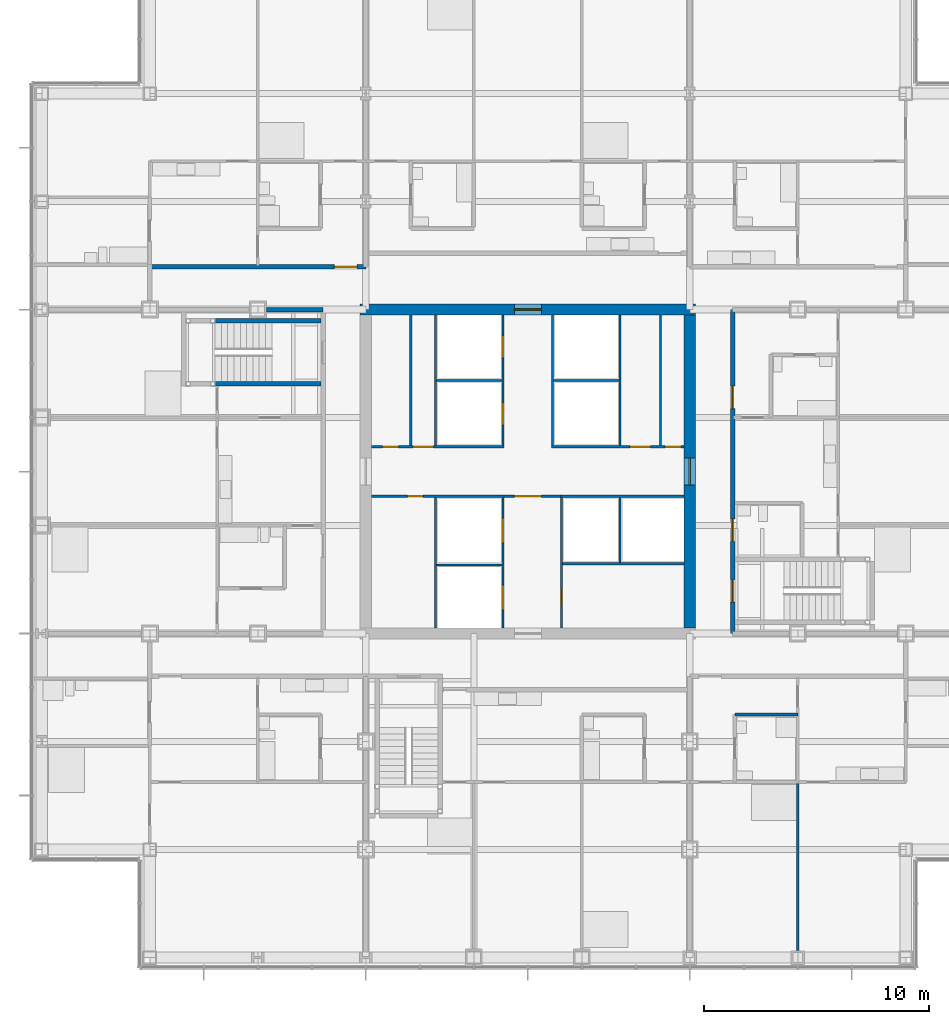
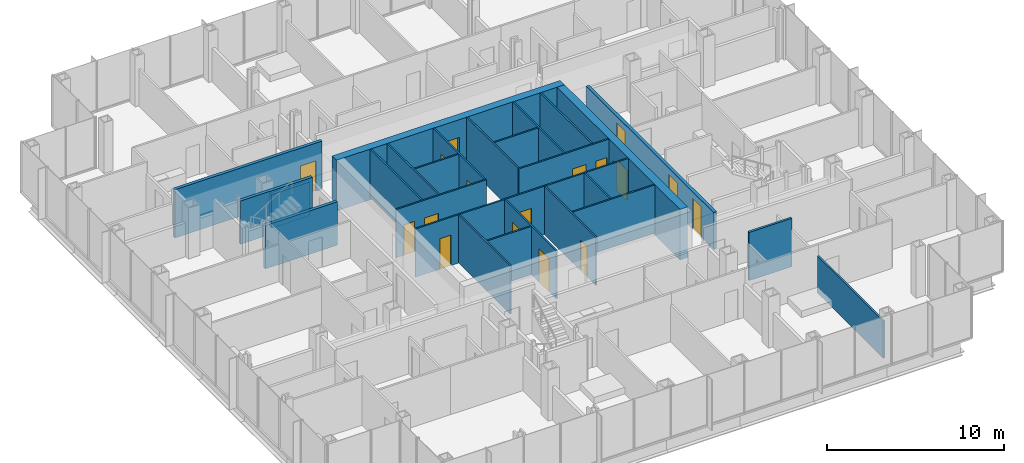
# One storey, part 15 of 21: 28 walls, 17 doors, 17 openings.
"""IFC4 building model written with IfcOpenShell, lengths in metres."""

import ifcopenshell
import ifcopenshell.guid

model = None  # the IFC model being written
_history = None  # IfcOwnerHistory: only IFC2X3 demands one
_inside = {}  # id of a spatial element -> (the spatial element, [elements in it])
_under = {}  # id of a project, library or spatial element -> (it, [spatial elements below it])
_declared = {}  # id of a project -> (the project, [libraries it declares])
_typed = {}  # id of a type object -> (the type object, [elements of that type])
_made_of = {}  # id of a material, layer set ... -> (it, [elements and type objects made of it])


def new_model(schema):
    """Start an empty IFC model of exactly this schema.

    Asked for "IFC4X3", IfcOpenShell would pick the latest addendum, in which some entities
    have other attributes; the version numbers below select the first issue.
    IFC2X3 requires an IfcOwnerHistory on every rooted entity: one is made here for all.
    """
    global model, _history
    if schema == "IFC4X3":
        model = ifcopenshell.file(schema_version=(4, 3, 0, 0))
    else:
        model = ifcopenshell.file(schema=schema)
    _inside.clear()
    _under.clear()
    _declared.clear()
    _typed.clear()
    _made_of.clear()
    _history = None
    if model.schema == "IFC2X3":
        org = make("IfcOrganization", Name="unknown")
        user = make(
            "IfcPersonAndOrganization",
            ThePerson=make("IfcPerson", FamilyName="unknown"),
            TheOrganization=org,
        )
        app = make(
            "IfcApplication",
            ApplicationDeveloper=org,
            Version="unknown",
            ApplicationFullName="unknown",
            ApplicationIdentifier="unknown",
        )
        _history = make(
            "IfcOwnerHistory",
            OwningUser=user,
            OwningApplication=app,
            ChangeAction="ADDED",
            CreationDate=0,
        )
    return model


def make(cls, **values):
    """One entity of the class cls with the attributes given. An attribute that is None is left unset."""
    return model.create_entity(
        cls, **{name: value for name, value in values.items() if value is not None}
    )


def rooted(cls, **values):
    """An entity with a GlobalId (a new one), such as an element, a storey or a relation."""
    return make(cls, GlobalId=ifcopenshell.guid.new(), OwnerHistory=_history, **values)


def si_unit(unit_type, name, prefix=None):
    """IfcSIUnit, for example si_unit("LENGTHUNIT", "METRE", prefix="MILLI")."""
    return make("IfcSIUnit", UnitType=unit_type, Prefix=prefix, Name=name)


def assignment(units):
    """IfcUnitAssignment: the units of a project."""
    return None if units is None else make("IfcUnitAssignment", Units=units)


def point(xyz):
    """IfcCartesianPoint."""
    return None if xyz is None else make("IfcCartesianPoint", Coordinates=xyz)


def direction(xyz):
    """IfcDirection."""
    return None if xyz is None else make("IfcDirection", DirectionRatios=xyz)


def frame(location, z_axis=None, x_axis=None):
    """IfcAxis2Placement3D, a coordinate frame: its origin and axes. An axis left out is left unset."""
    return make(
        "IfcAxis2Placement3D",
        Location=point(location),
        Axis=direction(z_axis),
        RefDirection=direction(x_axis),
    )


def frame_2d(location, x_axis=None):
    """IfcAxis2Placement2D, a coordinate frame in the plane: its origin and x axis."""
    return make(
        "IfcAxis2Placement2D", Location=point(location), RefDirection=direction(x_axis)
    )


def origin():
    """The frame at (0, 0, 0) with its axes left unset."""
    return frame((0.0, 0.0, 0.0))


def place(relative_to, where):
    """IfcLocalPlacement: puts the frame where relative to a parent placement (None: the world)."""
    return make(
        "IfcLocalPlacement", PlacementRelTo=relative_to, RelativePlacement=where
    )


def context(
    kind, dimensions, precision=None, world=None, true_north=None, identifier=None
):
    """IfcGeometricRepresentationContext, for example the 3D "Model" context."""
    return make(
        "IfcGeometricRepresentationContext",
        ContextIdentifier=identifier,
        ContextType=kind,
        CoordinateSpaceDimension=dimensions,
        Precision=precision,
        WorldCoordinateSystem=world,
        TrueNorth=true_north,
    )


def subcontext(parent, identifier, kind, view, scale=None):
    """IfcGeometricRepresentationSubContext, for example "Body" below "Model"."""
    return make(
        "IfcGeometricRepresentationSubContext",
        ContextIdentifier=identifier,
        ContextType=kind,
        ParentContext=parent,
        TargetScale=scale,
        TargetView=view,
    )


def project(units=None, contexts=None):
    """IfcProject with its units and contexts."""
    return rooted(
        "IfcProject",
        Name="project",
        RepresentationContexts=contexts,
        UnitsInContext=assignment(units),
    )


def spatial(cls, under=None, at=None, **own):
    """A site, building, storey or space (cls), placed at a placement, below another one or the project."""
    s = rooted(cls, ObjectPlacement=at, **own)
    if under is not None:
        _under.setdefault(under.id(), (under, []))[1].append(s)
    return s


def profile(cls, at=None, kind="AREA", **sizes):
    """A parametric profile (cls). Its sizes go by their IFC names, for example OverallWidth=200.0."""
    return make(cls, ProfileType=kind, Position=at, **sizes)


def rectangle(**sizes):
    """IfcRectangleProfileDef."""
    return profile("IfcRectangleProfileDef", **sizes)


def extrude(swept, where, along, depth):
    """IfcExtrudedAreaSolid: the profile swept, set in the frame where, extruded along a direction by depth."""
    return make(
        "IfcExtrudedAreaSolid",
        SweptArea=swept,
        Position=where,
        ExtrudedDirection=direction(along),
        Depth=depth,
    )


def shape(context_of_items, identifier, shape_type, items):
    """IfcShapeRepresentation: the items that make up one representation, for example the "Body"."""
    return make(
        "IfcShapeRepresentation",
        ContextOfItems=context_of_items,
        RepresentationIdentifier=identifier,
        RepresentationType=shape_type,
        Items=items,
    )


def material(Name=None, Category=None):
    """IfcMaterial."""
    return make("IfcMaterial", Name=Name, Category=Category)


def layer(
    of_material, thickness, ventilated=None, Name=None, Category=None, Priority=None
):
    """IfcMaterialLayer: one layer of a wall or slab, of a material (None: an air gap)."""
    return make(
        "IfcMaterialLayer",
        Material=of_material,
        LayerThickness=thickness,
        IsVentilated=ventilated,
        Name=Name,
        Category=Category,
        Priority=Priority,
    )


def layer_set(layers, Name=None):
    """IfcMaterialLayerSet."""
    return make("IfcMaterialLayerSet", MaterialLayers=layers, LayerSetName=Name)


def made_of(thing, what):
    """Note that an element or type object is made of a material, layer set ...; save() writes the relation."""
    if what is not None:
        _made_of.setdefault(what.id(), (what, []))[1].append(thing)
    return thing


def type_object(cls, material=None, **own):
    """A type object (cls), such as IfcWallType, which elements share."""
    return made_of(rooted(cls, **own), material)


def element(
    cls,
    number,
    at=None,
    inside=None,
    cuts=None,
    type_object=None,
    material=None,
    context=None,
    identifier="Body",
    shape_type=None,
    held_by="IfcProductDefinitionShape",
    body=None,
    shapes=None,
    **own,
):
    """One element of the class cls, such as IfcWall. Its Tag is "e" and its number.

    at: its placement. inside: the storey or other place that contains it. cuts: it is an
    opening in that element (IfcRelVoidsElement). A single representation is given by context,
    identifier, shape_type and body (its items); several are given by shapes. held_by: the class
    of the entity that holds the representations. save() writes the other relations.
    """
    e = rooted(cls, Tag="e%d" % number, ObjectPlacement=at, **own)
    if body is not None:
        shapes = [shape(context, identifier, shape_type, body)]
    if shapes is not None:
        e.Representation = make(held_by, Representations=shapes)
    if inside is not None:
        _inside.setdefault(inside.id(), (inside, []))[1].append(e)
    if cuts is not None:
        rooted(
            "IfcRelVoidsElement", RelatingBuildingElement=cuts, RelatedOpeningElement=e
        )
    if type_object is not None:
        _typed.setdefault(type_object.id(), (type_object, []))[1].append(e)
    return made_of(e, material)


def fill(opening, filler):
    """IfcRelFillsElement: the door or window that sits in an opening."""
    return rooted(
        "IfcRelFillsElement",
        RelatingOpeningElement=opening,
        RelatedBuildingElement=filler,
    )


def aggregate(whole, parts):
    """IfcRelAggregates: a whole, such as a stair, and the parts it consists of."""
    return rooted("IfcRelAggregates", RelatingObject=whole, RelatedObjects=parts)


def save(model, path):
    """Write the relations noted so far, then the file.

    IfcRelAggregates (storeys below a building ...), IfcRelContainedInSpatialStructure (elements
    in a storey), IfcRelDefinesByType, IfcRelAssociatesMaterial and IfcRelDeclares: one each for
    every whole, place, type object, material and project.
    """
    for whole, parts in _under.values():
        aggregate(whole, parts)
    for where, things in _inside.values():
        rooted(
            "IfcRelContainedInSpatialStructure",
            RelatedElements=things,
            RelatingStructure=where,
        )
    for kind, things in _typed.values():
        rooted("IfcRelDefinesByType", RelatedObjects=things, RelatingType=kind)
    for what, things in _made_of.values():
        rooted("IfcRelAssociatesMaterial", RelatedObjects=things, RelatingMaterial=what)
    for by, libraries in _declared.values():
        rooted("IfcRelDeclares", RelatingContext=by, RelatedDefinitions=libraries)
    model.write(path)


model = new_model("IFC4")

# Units and contexts
model_context = context("Model", 3, precision=1e-05, world=origin(), true_north=direction((0.0, 1.0)))
body_context = subcontext(model_context, "Body", "Model", "MODEL_VIEW")
ifc_project = project(units=[si_unit("LENGTHUNIT", "METRE"), si_unit("AREAUNIT", "SQUARE_METRE"), si_unit("VOLUMEUNIT", "CUBIC_METRE"), si_unit("PLANEANGLEUNIT", "RADIAN"), si_unit("MASSUNIT", "GRAM", prefix="KILO")], contexts=[model_context])

# Site, building, storey
site_placement = place(None, origin())
site = spatial("IfcSite", under=ifc_project, at=site_placement, CompositionType="ELEMENT")
building_placement = place(site_placement, origin())
building = spatial("IfcBuilding", under=site, at=building_placement, Name="Kvirike Care Tower", CompositionType="ELEMENT")
storey_placement = place(building_placement, frame((0.0, 0.0, 58.5)))
storey = spatial("IfcBuildingStorey", under=building, at=storey_placement, Name="L15", CompositionType="ELEMENT", Elevation=58.5)

# Wall
ifc_material_1 = material(Name="Moisture-resistant board partition", Category="gypsum")
ifc_layer_1 = layer(ifc_material_1, 0.14990234375)
ifc_layer_set_1 = layer_set([ifc_layer_1], Name="BATHROOM WALL 150")
wall_type_1 = type_object("IfcWallType", Name="BATHROOM WALL 150", PredefinedType="PARTITIONING", material=ifc_layer_set_1)
wall_1_placement = place(storey_placement, frame((30.800048828125, 25.199951171875, 0.0), z_axis=(0.0, 0.0, 1.0), x_axis=(1.0, 0.0, 0.0)))
element("IfcWall", 1, at=wall_1_placement, inside=storey, type_object=wall_type_1, Name="Bathroom Wall 150 L15", PredefinedType="PARTITIONING", context=body_context, shape_type="SweptSolid", body=[
    extrude(rectangle(XDim=2.800048828125, YDim=0.14990234375, at=frame_2d((1.39990234375, 0.0))), origin(), (0.0, 0.0, 1.0), 3.330078125),
])

# Wall, opening, door
ifc_material_2 = material(Name="Concrete C60/75", Category="concrete")
ifc_layer_2 = layer(ifc_material_2, 0.5)
ifc_layer_set_2 = layer_set([ifc_layer_2], Name="CORE WALL 500 C60-75")
wall_type_2 = type_object("IfcWallType", Name="CORE WALL 500 C60-75", PredefinedType="SHEAR", material=ifc_layer_set_2)
wall_2_placement = place(storey_placement, frame((29.050048828125, 43.199951171875, -0.169921875), z_axis=(0.0, 0.0, 1.0), x_axis=(-1.0, 0.0, 0.0)))
wall_2 = element("IfcWall", 2, at=wall_2_placement, inside=storey, type_object=wall_type_2, Name="Core wall N L15", PredefinedType="SHEAR", context=body_context, shape_type="SweptSolid", body=[
    extrude(rectangle(XDim=14.900146484375, YDim=0.5, at=frame_2d((7.4501953125, 0.0))), origin(), (0.0, 0.0, 1.0), 3.5),
])
opening_1_placement = place(wall_2_placement, frame((6.85009765625, 0.0, 0.169921875)))
opening_1 = element("IfcOpeningElement", 3, at=opening_1_placement, cuts=wall_2, Name="Opening 15-067", PredefinedType="OPENING", context=body_context, shape_type="SweptSolid", body=[
    extrude(rectangle(XDim=1.199951171875, YDim=2.10009765625, at=frame_2d((0.60009765625, 1.050048828125))), frame((0.0, 0.260498046875, 0.0), z_axis=(0.0, -1.0, 0.0), x_axis=(1.0, 0.0, 0.0)), (0.0, 0.0, 1.0), 0.52099609375),
])
ifc_material_3 = material(Name="Timber door set", Category="wood")
door_type_1 = type_object("IfcDoorType", Name="CORE DOOR 1200", OperationType="SINGLE_SWING_LEFT", PredefinedType="DOOR", material=ifc_material_3)
door_1_placement = place(opening_1_placement, origin())
door_1 = element("IfcDoor", 4, at=door_1_placement, inside=storey, type_object=door_type_1, Name="Core door N L15", OperationType="SINGLE_SWING_LEFT", OverallHeight=2.10009765625, OverallWidth=1.199951171875, PredefinedType="DOOR", context=body_context, shape_type="SweptSolid", body=[
    extrude(rectangle(XDim=1.199951171875, YDim=2.10009765625, at=frame_2d((0.60009765625, 1.050048828125))), frame((0.0, 0.02685546875, 0.0), z_axis=(0.0, -1.0, 0.0), x_axis=(1.0, 0.0, 0.0)), (0.0, 0.0, 1.0), 0.053955078125),
])
fill(opening_1, door_1)

wall_3_placement = place(storey_placement, frame((28.800048828125, 29.050048828125, -0.169921875), z_axis=(0.0, 0.0, 1.0), x_axis=(0.0, 1.0, 0.0)))
wall_3 = element("IfcWall", 5, at=wall_3_placement, inside=storey, type_object=wall_type_2, Name="Core wall E L15", PredefinedType="SHEAR", context=body_context, shape_type="SweptSolid", body=[
    extrude(rectangle(XDim=13.89990234375, YDim=0.5, at=frame_2d((6.949951171875, 0.0))), origin(), (0.0, 0.0, 1.0), 3.5),
])
opening_2_placement = place(wall_3_placement, frame((6.35009765625, 0.0, 0.169921875)))
opening_2 = element("IfcOpeningElement", 6, at=opening_2_placement, cuts=wall_3, Name="Opening 15-066", PredefinedType="OPENING", context=body_context, shape_type="SweptSolid", body=[
    extrude(rectangle(XDim=1.199951171875, YDim=2.10009765625, at=frame_2d((0.60009765625, 1.050048828125))), frame((0.0, 0.260498046875, 0.0), z_axis=(0.0, -1.0, 0.0), x_axis=(1.0, 0.0, 0.0)), (0.0, 0.0, 1.0), 0.52099609375),
])
door_2_placement = place(opening_2_placement, origin())
door_2 = element("IfcDoor", 7, at=door_2_placement, inside=storey, type_object=door_type_1, Name="Core door E L15", OperationType="SINGLE_SWING_LEFT", OverallHeight=2.10009765625, OverallWidth=1.199951171875, PredefinedType="DOOR", context=body_context, shape_type="SweptSolid", body=[
    extrude(rectangle(XDim=1.199951171875, YDim=2.10009765625, at=frame_2d((0.60009765625, 1.050048828125))), frame((0.0, 0.02685546875, 0.0), z_axis=(0.0, -1.0, 0.0), x_axis=(1.0, 0.0, 0.0)), (0.0, 0.0, 1.0), 0.053955078125),
])
fill(opening_2, door_2)

ifc_material_4 = material(Name="Plasterboard corridor wall", Category="gypsum")
ifc_layer_3 = layer(ifc_material_4, 0.199951171875)
ifc_layer_set_3 = layer_set([ifc_layer_3], Name="CORRIDOR WALL 200")
wall_type_3 = type_object("IfcWallType", Name="CORRIDOR WALL 200", PredefinedType="PARTITIONING", material=ifc_layer_set_3)
wall_4_placement = place(storey_placement, frame((14.39990234375, 45.10009765625, 0.0), z_axis=(0.0, 0.0, 1.0), x_axis=(-1.0, 0.0, 0.0)))
wall_4 = element("IfcWall", 8, at=wall_4_placement, inside=storey, type_object=wall_type_3, Name="Corridor Wall 200 L15", PredefinedType="PARTITIONING", context=body_context, shape_type="SweptSolid", body=[
    extrude(rectangle(XDim=9.599853515625, YDim=0.199951171875, at=frame_2d((4.7998046875, 0.0))), origin(), (0.0, 0.0, 1.0), 3.330078125),
])
opening_3_placement = place(wall_4_placement, frame((0.39990234375, 0.0, 0.0)))
opening_3 = element("IfcOpeningElement", 9, at=opening_3_placement, cuts=wall_4, Name="Opening 15-020", PredefinedType="OPENING", context=body_context, shape_type="SweptSolid", body=[
    extrude(rectangle(XDim=1.0, YDim=2.10009765625, at=frame_2d((0.5, 1.050048828125))), frame((0.0, 0.110595703125, 0.0), z_axis=(0.0, -1.0, 0.0), x_axis=(1.0, 0.0, 0.0)), (0.0, 0.0, 1.0), 0.220947265625),
])
ifc_material_5 = material(Name="Timber door set", Category="wood")
door_type_2 = type_object("IfcDoorType", Name="FLAT ENTRANCE DOOR 1000", OperationType="SINGLE_SWING_LEFT", PredefinedType="DOOR", material=ifc_material_5)
door_3_placement = place(opening_3_placement, frame((1.0, 0.0, 0.0), z_axis=(0.0, 0.0, 1.0), x_axis=(-1.0, 0.0, 0.0)))
door_3 = element("IfcDoor", 10, at=door_3_placement, inside=storey, type_object=door_type_2, Name="One-bedroom apartment entrance", OperationType="SINGLE_SWING_LEFT", OverallHeight=2.10009765625, OverallWidth=1.0, PredefinedType="DOOR", context=body_context, shape_type="SweptSolid", body=[
    extrude(rectangle(XDim=1.0, YDim=2.10009765625, at=frame_2d((0.5, 1.050048828125))), frame((0.0, 0.02685546875, 0.0), z_axis=(0.0, -1.0, 0.0), x_axis=(1.0, 0.0, 0.0)), (0.0, 0.0, 1.0), 0.053955078125),
])
fill(opening_3, door_3)

# Wall, openings, doors
wall_5_placement = place(storey_placement, frame((30.699951171875, 28.800048828125, 0.0), z_axis=(0.0, 0.0, 1.0), x_axis=(0.0, 1.0, 0.0)))
wall_5 = element("IfcWall", 11, at=wall_5_placement, inside=storey, type_object=wall_type_3, Name="Corridor Wall 200 L15", PredefinedType="PARTITIONING", context=body_context, shape_type="SweptSolid", body=[
    extrude(rectangle(XDim=14.39990234375, YDim=0.199951171875, at=frame_2d((7.199951171875, 0.0))), origin(), (0.0, 0.0, 1.0), 2.550048828125),
])
opening_4_placement = place(wall_5_placement, frame((1.39990234375, 0.0, 0.0)))
opening_4 = element("IfcOpeningElement", 12, at=opening_4_placement, cuts=wall_5, Name="Opening 15-044", PredefinedType="OPENING", context=body_context, shape_type="SweptSolid", body=[
    extrude(rectangle(XDim=1.0, YDim=2.10009765625, at=frame_2d((0.5, 1.050048828125))), frame((0.0, 0.110595703125, 0.0), z_axis=(0.0, -1.0, 0.0), x_axis=(1.0, 0.0, 0.0)), (0.0, 0.0, 1.0), 0.220947265625),
])
opening_5_placement = place(wall_5_placement, frame((4.10009765625, 0.0, 0.0)))
opening_5 = element("IfcOpeningElement", 13, at=opening_5_placement, cuts=wall_5, Name="Opening 15-045", PredefinedType="OPENING", context=body_context, shape_type="SweptSolid", body=[
    extrude(rectangle(XDim=1.0, YDim=2.10009765625, at=frame_2d((0.5, 1.050048828125))), frame((0.0, 0.110595703125, 0.0), z_axis=(0.0, -1.0, 0.0), x_axis=(1.0, 0.0, 0.0)), (0.0, 0.0, 1.0), 0.220947265625),
])
opening_6_placement = place(wall_5_placement, frame((10.0, 0.0, 0.0)))
opening_6 = element("IfcOpeningElement", 14, at=opening_6_placement, cuts=wall_5, Name="Opening 15-046", PredefinedType="OPENING", context=body_context, shape_type="SweptSolid", body=[
    extrude(rectangle(XDim=1.0, YDim=2.10009765625, at=frame_2d((0.5, 1.050048828125))), frame((0.0, 0.110595703125, 0.0), z_axis=(0.0, -1.0, 0.0), x_axis=(1.0, 0.0, 0.0)), (0.0, 0.0, 1.0), 0.220947265625),
])
door_4_placement = place(opening_6_placement, frame((1.0, 0.0, 0.0), z_axis=(0.0, 0.0, 1.0), x_axis=(-1.0, 0.0, 0.0)))
door_4 = element("IfcDoor", 15, at=door_4_placement, inside=storey, type_object=door_type_2, Name="Two-bedroom apartment entrance", OperationType="SINGLE_SWING_LEFT", OverallHeight=2.10009765625, OverallWidth=1.0, PredefinedType="DOOR", context=body_context, shape_type="SweptSolid", body=[
    extrude(rectangle(XDim=1.0, YDim=2.10009765625, at=frame_2d((0.5, 1.050048828125))), frame((0.0, 0.02685546875, 0.0), z_axis=(0.0, -1.0, 0.0), x_axis=(1.0, 0.0, 0.0)), (0.0, 0.0, 1.0), 0.053955078125),
])
fill(opening_6, door_4)
ifc_material_6 = material(Name="Timber door set", Category="wood")
door_type_3 = type_object("IfcDoorType", Name="STAIR DOOR 1000", OperationType="SINGLE_SWING_LEFT", PredefinedType="DOOR", material=ifc_material_6)
door_5_placement = place(opening_4_placement, frame((1.0, 0.0, 0.0), z_axis=(0.0, 0.0, 1.0), x_axis=(-1.0, 0.0, 0.0)))
door_5 = element("IfcDoor", 16, at=door_5_placement, inside=storey, type_object=door_type_3, Name="Stair 2 door", OperationType="SINGLE_SWING_RIGHT", OverallHeight=2.10009765625, OverallWidth=1.0, PredefinedType="DOOR", context=body_context, shape_type="SweptSolid", body=[
    extrude(rectangle(XDim=1.0, YDim=2.10009765625, at=frame_2d((0.5, 1.050048828125))), frame((0.0, 0.031982421875, 0.0), z_axis=(0.0, -1.0, 0.0), x_axis=(1.0, 0.0, 0.0)), (0.0, 0.0, 1.0), 0.06396484375),
])
fill(opening_4, door_5)
ifc_material_7 = material(Name="Timber door set", Category="wood")
door_type_4 = type_object("IfcDoorType", Name="WC DOOR 1000", OperationType="SINGLE_SWING_LEFT", PredefinedType="DOOR", material=ifc_material_7)
door_6_placement = place(opening_5_placement, frame((1.0, 0.0, 0.0), z_axis=(0.0, 0.0, 1.0), x_axis=(-1.0, 0.0, 0.0)))
door_6 = element("IfcDoor", 17, at=door_6_placement, inside=storey, type_object=door_type_4, Name="Accessible WC door", OperationType="SINGLE_SWING_LEFT", OverallHeight=2.10009765625, OverallWidth=1.0, PredefinedType="DOOR", context=body_context, shape_type="SweptSolid", body=[
    extrude(rectangle(XDim=1.0, YDim=2.10009765625, at=frame_2d((0.5, 1.050048828125))), frame((0.0, 0.02685546875, 0.0), z_axis=(0.0, -1.0, 0.0), x_axis=(1.0, 0.0, 0.0)), (0.0, 0.0, 1.0), 0.053955078125),
])
fill(opening_5, door_6)

# Walls
ifc_material_8 = material(Name="Plasterboard partition", Category="gypsum")
ifc_layer_4 = layer(ifc_material_8, 0.1201171875)
ifc_layer_set_4 = layer_set([ifc_layer_4], Name="PARTITION 120")
wall_type_4 = type_object("IfcWallType", Name="PARTITION 120", PredefinedType="PARTITIONING", material=ifc_layer_set_4)
wall_6_placement = place(storey_placement, frame((33.60009765625, 14.719970703125, 0.0), z_axis=(0.0, 0.0, 1.0), x_axis=(0.0, 1.0, 0.0)))
element("IfcWall", 18, at=wall_6_placement, inside=storey, type_object=wall_type_4, Name="Partition 120 L15", PredefinedType="PARTITIONING", context=body_context, shape_type="SweptSolid", body=[
    extrude(rectangle(XDim=7.47998046875, YDim=0.1201171875, at=frame_2d((3.739990234375, 0.0))), origin(), (0.0, 0.0, 1.0), 2.550048828125),
])
ifc_material_9 = material(Name="Plasterboard party wall", Category="gypsum")
ifc_layer_5 = layer(ifc_material_9, 0.199951171875)
ifc_layer_set_5 = layer_set([ifc_layer_5], Name="PARTY WALL 200")
wall_type_5 = type_object("IfcWallType", Name="PARTY WALL 200", PredefinedType="PARTITIONING", material=ifc_layer_set_5)
wall_7_placement = place(storey_placement, frame((12.5, 43.199951171875, 0.0), z_axis=(0.0, 0.0, 1.0), x_axis=(-1.0, 0.0, 0.0)))
element("IfcWall", 19, at=wall_7_placement, inside=storey, type_object=wall_type_5, Name="Party Wall 200 L15", PredefinedType="PARTITIONING", context=body_context, shape_type="SweptSolid", body=[
    extrude(rectangle(XDim=2.5048828125, YDim=0.199951171875, at=frame_2d((1.25244140625, 0.0))), origin(), (0.0, 0.0, 1.0), 2.320068359375),
])
ifc_material_10 = material(Name="Gypsum shaft wall system", Category="gypsum")
ifc_layer_6 = layer(ifc_material_10, 0.10009765625)
ifc_layer_set_6 = layer_set([ifc_layer_6], Name="SHAFT WALL 100")
wall_type_6 = type_object("IfcWallType", Name="SHAFT WALL 100", PredefinedType="SOLIDWALL", material=ifc_layer_set_6)
for number, where, z_axis, x_axis, name in (
    (20, (16.39990234375, 37.14990234375, 0.0), (0.0, 0.0, 1.0), (0.0, 1.0, 0.0), "Shaft Wall 100 L15"),
    (21, (27.5, 37.14990234375, 0.0), (0.0, 0.0, 1.0), (0.0, 1.0, 0.0), "Shaft Wall 100 L15"),
):
    element("IfcWall", number, at=place(storey_placement, frame(where, z_axis=z_axis, x_axis=x_axis)), inside=storey, type_object=wall_type_6, Name=name, PredefinedType="SOLIDWALL", context=body_context, shape_type="SweptSolid", body=[
        extrude(rectangle(XDim=5.800048828125, YDim=0.10009765625, at=frame_2d((2.89990234375, 0.0))), origin(), (0.0, 0.0, 1.0), 3.330078125),
    ])

# Wall, openings, doors
wall_8_placement = place(storey_placement, frame((20.5, 29.050048828125, 0.0), z_axis=(0.0, 0.0, 1.0), x_axis=(0.0, 1.0, 0.0)))
wall_8 = element("IfcWall", 22, at=wall_8_placement, inside=storey, type_object=wall_type_6, Name="Shaft Wall 100 L15", PredefinedType="SOLIDWALL", context=body_context, shape_type="SweptSolid", body=[
    extrude(rectangle(XDim=5.800048828125, YDim=0.10009765625, at=frame_2d((2.89990234375, 0.0))), origin(), (0.0, 0.0, 1.0), 3.330078125),
])
opening_7_placement = place(wall_8_placement, frame((0.800048828125, 0.0, 0.0)))
opening_7 = element("IfcOpeningElement", 23, at=opening_7_placement, cuts=wall_8, Name="Opening 15-053", PredefinedType="OPENING", context=body_context, shape_type="SweptSolid", body=[
    extrude(rectangle(XDim=1.10009765625, YDim=2.300048828125, at=frame_2d((0.550048828125, 1.14990234375))), frame((0.0, 0.060546875, 0.0), z_axis=(0.0, -1.0, 0.0), x_axis=(1.0, 0.0, 0.0)), (0.0, 0.0, 1.0), 0.12109375),
])
opening_8_placement = place(wall_8_placement, frame((3.77490234375, 0.0, 0.0)))
opening_8 = element("IfcOpeningElement", 24, at=opening_8_placement, cuts=wall_8, Name="Opening 15-054", PredefinedType="OPENING", context=body_context, shape_type="SweptSolid", body=[
    extrude(rectangle(XDim=1.10009765625, YDim=2.300048828125, at=frame_2d((0.550048828125, 1.14990234375))), frame((0.0, 0.060546875, 0.0), z_axis=(0.0, -1.0, 0.0), x_axis=(1.0, 0.0, 0.0)), (0.0, 0.0, 1.0), 0.12109375),
])
ifc_material_11 = material(Name="Aluminium door frame", Category="aluminium")
door_type_5 = type_object("IfcDoorType", Name="FIRE-FIGHTING LIFT LANDING DOOR 1100", OperationType="SLIDING_TO_LEFT", PredefinedType="DOOR", material=ifc_material_11)
door_7_placement = place(opening_7_placement, origin())
door_7 = element("IfcDoor", 25, at=door_7_placement, inside=storey, type_object=door_type_5, Name="Lift FF1 landing door", OperationType="SLIDING_TO_LEFT", OverallHeight=2.300048828125, OverallWidth=1.10009765625, PredefinedType="DOOR", context=body_context, shape_type="SweptSolid", body=[
    extrude(rectangle(XDim=1.10009765625, YDim=2.300048828125, at=frame_2d((0.550048828125, 1.14990234375))), frame((0.0, 0.0498046875, 0.0), z_axis=(0.0, -1.0, 0.0), x_axis=(1.0, 0.0, 0.0)), (0.0, 0.0, 1.0), 0.099609375),
])
fill(opening_7, door_7)
door_8_placement = place(opening_8_placement, origin())
door_8 = element("IfcDoor", 26, at=door_8_placement, inside=storey, type_object=door_type_5, Name="Lift FF2 landing door", OperationType="SLIDING_TO_LEFT", OverallHeight=2.300048828125, OverallWidth=1.10009765625, PredefinedType="DOOR", context=body_context, shape_type="SweptSolid", body=[
    extrude(rectangle(XDim=1.10009765625, YDim=2.300048828125, at=frame_2d((0.550048828125, 1.14990234375))), frame((0.0, 0.0498046875, 0.0), z_axis=(0.0, -1.0, 0.0), x_axis=(1.0, 0.0, 0.0)), (0.0, 0.0, 1.0), 0.099609375),
])
fill(opening_8, door_8)

wall_9_placement = place(storey_placement, frame((20.5, 37.14990234375, 0.0), z_axis=(0.0, 0.0, 1.0), x_axis=(0.0, 1.0, 0.0)))
wall_9 = element("IfcWall", 27, at=wall_9_placement, inside=storey, type_object=wall_type_6, Name="Shaft Wall 100 L15", PredefinedType="SOLIDWALL", context=body_context, shape_type="SweptSolid", body=[
    extrude(rectangle(XDim=5.800048828125, YDim=0.10009765625, at=frame_2d((2.89990234375, 0.0))), origin(), (0.0, 0.0, 1.0), 3.330078125),
])
opening_9_placement = place(wall_9_placement, frame((0.925048828125, 0.0, 0.0)))
opening_9 = element("IfcOpeningElement", 28, at=opening_9_placement, cuts=wall_9, Name="Opening 15-055", PredefinedType="OPENING", context=body_context, shape_type="SweptSolid", body=[
    extrude(rectangle(XDim=1.0, YDim=2.10009765625, at=frame_2d((0.5, 1.050048828125))), frame((0.0, 0.060546875, 0.0), z_axis=(0.0, -1.0, 0.0), x_axis=(1.0, 0.0, 0.0)), (0.0, 0.0, 1.0), 0.12109375),
])
opening_10_placement = place(wall_9_placement, frame((3.89990234375, 0.0, 0.0)))
opening_10 = element("IfcOpeningElement", 29, at=opening_10_placement, cuts=wall_9, Name="Opening 15-056", PredefinedType="OPENING", context=body_context, shape_type="SweptSolid", body=[
    extrude(rectangle(XDim=1.0, YDim=2.10009765625, at=frame_2d((0.5, 1.050048828125))), frame((0.0, 0.060546875, 0.0), z_axis=(0.0, -1.0, 0.0), x_axis=(1.0, 0.0, 0.0)), (0.0, 0.0, 1.0), 0.12109375),
])
ifc_material_12 = material(Name="Aluminium door frame", Category="aluminium")
door_type_6 = type_object("IfcDoorType", Name="LIFT LANDING DOOR 1000", OperationType="SLIDING_TO_LEFT", PredefinedType="DOOR", material=ifc_material_12)
door_9_placement = place(opening_9_placement, origin())
door_9 = element("IfcDoor", 30, at=door_9_placement, inside=storey, type_object=door_type_6, Name="Lift P1 landing door", OperationType="SLIDING_TO_LEFT", OverallHeight=2.10009765625, OverallWidth=1.0, PredefinedType="DOOR", context=body_context, shape_type="SweptSolid", body=[
    extrude(rectangle(XDim=1.0, YDim=2.10009765625, at=frame_2d((0.5, 1.050048828125))), frame((0.0, 0.0498046875, 0.0), z_axis=(0.0, -1.0, 0.0), x_axis=(1.0, 0.0, 0.0)), (0.0, 0.0, 1.0), 0.099609375),
])
fill(opening_9, door_9)
door_10_placement = place(opening_10_placement, origin())
door_10 = element("IfcDoor", 31, at=door_10_placement, inside=storey, type_object=door_type_6, Name="Lift P2 landing door", OperationType="SLIDING_TO_LEFT", OverallHeight=2.10009765625, OverallWidth=1.0, PredefinedType="DOOR", context=body_context, shape_type="SweptSolid", body=[
    extrude(rectangle(XDim=1.0, YDim=2.10009765625, at=frame_2d((0.5, 1.050048828125))), frame((0.0, 0.0498046875, 0.0), z_axis=(0.0, -1.0, 0.0), x_axis=(1.0, 0.0, 0.0)), (0.0, 0.0, 1.0), 0.099609375),
])
fill(opening_10, door_10)

# Wall
wall_10_placement = place(storey_placement, frame((22.699951171875, 37.14990234375, 0.0), z_axis=(0.0, 0.0, 1.0), x_axis=(0.0, 1.0, 0.0)))
element("IfcWall", 32, at=wall_10_placement, inside=storey, type_object=wall_type_6, Name="Shaft Wall 100 L15", PredefinedType="SOLIDWALL", context=body_context, shape_type="SweptSolid", body=[
    extrude(rectangle(XDim=5.800048828125, YDim=0.10009765625, at=frame_2d((2.89990234375, 0.0))), origin(), (0.0, 0.0, 1.0), 3.330078125),
])

# Wall, opening, door
wall_11_placement = place(storey_placement, frame((23.10009765625, 29.050048828125, 0.0), z_axis=(0.0, 0.0, 1.0), x_axis=(0.0, 1.0, 0.0)))
wall_11 = element("IfcWall", 33, at=wall_11_placement, inside=storey, type_object=wall_type_6, Name="Shaft Wall 100 L15", PredefinedType="SOLIDWALL", context=body_context, shape_type="SweptSolid", body=[
    extrude(rectangle(XDim=5.800048828125, YDim=0.10009765625, at=frame_2d((2.89990234375, 0.0))), origin(), (0.0, 0.0, 1.0), 3.330078125),
])
opening_11_placement = place(wall_11_placement, frame((1.0, 0.0, 0.0)))
opening_11 = element("IfcOpeningElement", 34, at=opening_11_placement, cuts=wall_11, Name="Opening 15-057", PredefinedType="OPENING", context=body_context, shape_type="SweptSolid", body=[
    extrude(rectangle(XDim=0.699951171875, YDim=2.10009765625, at=frame_2d((0.35009765625, 1.050048828125))), frame((0.0, 0.060546875, 0.0), z_axis=(0.0, -1.0, 0.0), x_axis=(1.0, 0.0, 0.0)), (0.0, 0.0, 1.0), 0.12109375),
])
ifc_material_13 = material(Name="Timber door set", Category="wood")
door_type_7 = type_object("IfcDoorType", Name="RISER DOOR 700", OperationType="SINGLE_SWING_LEFT", PredefinedType="DOOR", material=ifc_material_13)
door_11_placement = place(opening_11_placement, origin())
door_11 = element("IfcDoor", 35, at=door_11_placement, inside=storey, type_object=door_type_7, Name="Riser door", OperationType="SINGLE_SWING_RIGHT", OverallHeight=2.10009765625, OverallWidth=0.699951171875, PredefinedType="DOOR", context=body_context, shape_type="SweptSolid", body=[
    extrude(rectangle(XDim=0.699951171875, YDim=2.10009765625, at=frame_2d((0.35009765625, 1.050048828125))), frame((0.0, 0.02685546875, 0.0), z_axis=(0.0, -1.0, 0.0), x_axis=(1.0, 0.0, 0.0)), (0.0, 0.0, 1.0), 0.053955078125),
])
fill(opening_11, door_11)

wall_12_placement = place(storey_placement, frame((14.64990234375, 34.89990234375, 0.0), z_axis=(0.0, 0.0, 1.0), x_axis=(1.0, 0.0, 0.0)))
wall_12 = element("IfcWall", 36, at=wall_12_placement, inside=storey, type_object=wall_type_6, Name="Shaft Wall 100 L15", PredefinedType="SOLIDWALL", context=body_context, shape_type="SweptSolid", body=[
    extrude(rectangle(XDim=5.900146484375, YDim=0.10009765625, at=frame_2d((2.9501953125, 0.0))), origin(), (0.0, 0.0, 1.0), 3.330078125),
])
opening_12_placement = place(wall_12_placement, frame((1.60009765625, 0.0, 0.0)))
opening_12 = element("IfcOpeningElement", 37, at=opening_12_placement, cuts=wall_12, Name="Opening 15-058", PredefinedType="OPENING", context=body_context, shape_type="SweptSolid", body=[
    extrude(rectangle(XDim=0.699951171875, YDim=2.10009765625, at=frame_2d((0.35009765625, 1.050048828125))), frame((0.0, 0.060546875, 0.0), z_axis=(0.0, -1.0, 0.0), x_axis=(1.0, 0.0, 0.0)), (0.0, 0.0, 1.0), 0.12109375),
])
door_12_placement = place(opening_12_placement, frame((0.699951171875, 0.0, 0.0), z_axis=(0.0, 0.0, 1.0), x_axis=(-1.0, 0.0, 0.0)))
door_12 = element("IfcDoor", 38, at=door_12_placement, inside=storey, type_object=door_type_7, Name="Riser door", OperationType="SINGLE_SWING_RIGHT", OverallHeight=2.10009765625, OverallWidth=0.699951171875, PredefinedType="DOOR", context=body_context, shape_type="SweptSolid", body=[
    extrude(rectangle(XDim=0.699951171875, YDim=2.10009765625, at=frame_2d((0.35009765625, 1.050048828125))), frame((0.0, 0.02685546875, 0.0), z_axis=(0.0, -1.0, 0.0), x_axis=(1.0, 0.0, 0.0)), (0.0, 0.0, 1.0), 0.053955078125),
])
fill(opening_12, door_12)

# Wall
wall_13_placement = place(storey_placement, frame((23.050048828125, 34.89990234375, 0.0), z_axis=(0.0, 0.0, 1.0), x_axis=(1.0, 0.0, 0.0)))
element("IfcWall", 39, at=wall_13_placement, inside=storey, type_object=wall_type_6, Name="Shaft Wall 100 L15", PredefinedType="SOLIDWALL", context=body_context, shape_type="SweptSolid", body=[
    extrude(rectangle(XDim=5.5, YDim=0.10009765625, at=frame_2d((2.75, 0.0))), origin(), (0.0, 0.0, 1.0), 3.330078125),
])

# Wall, openings, doors
wall_14_placement = place(storey_placement, frame((14.64990234375, 37.10009765625, 0.0), z_axis=(0.0, 0.0, 1.0), x_axis=(1.0, 0.0, 0.0)))
wall_14 = element("IfcWall", 40, at=wall_14_placement, inside=storey, type_object=wall_type_6, Name="Shaft Wall 100 L15", PredefinedType="SOLIDWALL", context=body_context, shape_type="SweptSolid", body=[
    extrude(rectangle(XDim=5.900146484375, YDim=0.10009765625, at=frame_2d((2.9501953125, 0.0))), origin(), (0.0, 0.0, 1.0), 3.330078125),
])
opening_13_placement = place(wall_14_placement, frame((0.5, 0.0, 0.0)))
opening_13 = element("IfcOpeningElement", 41, at=opening_13_placement, cuts=wall_14, Name="Opening 15-059", PredefinedType="OPENING", context=body_context, shape_type="SweptSolid", body=[
    extrude(rectangle(XDim=0.699951171875, YDim=2.10009765625, at=frame_2d((0.35009765625, 1.050048828125))), frame((0.0, 0.060546875, 0.0), z_axis=(0.0, -1.0, 0.0), x_axis=(1.0, 0.0, 0.0)), (0.0, 0.0, 1.0), 0.12109375),
])
opening_14_placement = place(wall_14_placement, frame((1.85009765625, 0.0, 0.0)))
opening_14 = element("IfcOpeningElement", 42, at=opening_14_placement, cuts=wall_14, Name="Opening 15-060", PredefinedType="OPENING", context=body_context, shape_type="SweptSolid", body=[
    extrude(rectangle(XDim=0.89990234375, YDim=2.10009765625, at=frame_2d((0.449951171875, 1.050048828125))), frame((0.0, 0.060546875, 0.0), z_axis=(0.0, -1.0, 0.0), x_axis=(1.0, 0.0, 0.0)), (0.0, 0.0, 1.0), 0.12109375),
])
door_13_placement = place(opening_13_placement, origin())
door_13 = element("IfcDoor", 43, at=door_13_placement, inside=storey, type_object=door_type_7, Name="Riser door", OperationType="SINGLE_SWING_RIGHT", OverallHeight=2.10009765625, OverallWidth=0.699951171875, PredefinedType="DOOR", context=body_context, shape_type="SweptSolid", body=[
    extrude(rectangle(XDim=0.699951171875, YDim=2.10009765625, at=frame_2d((0.35009765625, 1.050048828125))), frame((0.0, 0.02685546875, 0.0), z_axis=(0.0, -1.0, 0.0), x_axis=(1.0, 0.0, 0.0)), (0.0, 0.0, 1.0), 0.053955078125),
])
fill(opening_13, door_13)
ifc_material_14 = material(Name="Timber door set", Category="wood")
door_type_8 = type_object("IfcDoorType", Name="STORE DOOR 900", OperationType="SINGLE_SWING_LEFT", PredefinedType="DOOR", material=ifc_material_14)
door_14_placement = place(opening_14_placement, origin())
door_14 = element("IfcDoor", 44, at=door_14_placement, inside=storey, type_object=door_type_8, Name="Vending and ice room door", OperationType="SINGLE_SWING_LEFT", OverallHeight=2.10009765625, OverallWidth=0.89990234375, PredefinedType="DOOR", context=body_context, shape_type="SweptSolid", body=[
    extrude(rectangle(XDim=0.89990234375, YDim=2.10009765625, at=frame_2d((0.449951171875, 1.050048828125))), frame((0.0, 0.02685546875, 0.0), z_axis=(0.0, -1.0, 0.0), x_axis=(1.0, 0.0, 0.0)), (0.0, 0.0, 1.0), 0.053955078125),
])
fill(opening_14, door_14)

wall_15_placement = place(storey_placement, frame((22.64990234375, 37.10009765625, 0.0), z_axis=(0.0, 0.0, 1.0), x_axis=(1.0, 0.0, 0.0)))
wall_15 = element("IfcWall", 45, at=wall_15_placement, inside=storey, type_object=wall_type_6, Name="Shaft Wall 100 L15", PredefinedType="SOLIDWALL", context=body_context, shape_type="SweptSolid", body=[
    extrude(rectangle(XDim=5.900146484375, YDim=0.10009765625, at=frame_2d((2.9501953125, 0.0))), origin(), (0.0, 0.0, 1.0), 3.330078125),
])
opening_15_placement = place(wall_15_placement, frame((3.5, 0.0, 0.0)))
opening_15 = element("IfcOpeningElement", 46, at=opening_15_placement, cuts=wall_15, Name="Opening 15-061", PredefinedType="OPENING", context=body_context, shape_type="SweptSolid", body=[
    extrude(rectangle(XDim=0.89990234375, YDim=2.10009765625, at=frame_2d((0.449951171875, 1.050048828125))), frame((0.0, 0.060546875, 0.0), z_axis=(0.0, -1.0, 0.0), x_axis=(1.0, 0.0, 0.0)), (0.0, 0.0, 1.0), 0.12109375),
])
opening_16_placement = place(wall_15_placement, frame((5.050048828125, 0.0, 0.0)))
opening_16 = element("IfcOpeningElement", 47, at=opening_16_placement, cuts=wall_15, Name="Opening 15-062", PredefinedType="OPENING", context=body_context, shape_type="SweptSolid", body=[
    extrude(rectangle(XDim=0.699951171875, YDim=2.10009765625, at=frame_2d((0.35009765625, 1.050048828125))), frame((0.0, 0.060546875, 0.0), z_axis=(0.0, -1.0, 0.0), x_axis=(1.0, 0.0, 0.0)), (0.0, 0.0, 1.0), 0.12109375),
])
door_15_placement = place(opening_16_placement, origin())
door_15 = element("IfcDoor", 48, at=door_15_placement, inside=storey, type_object=door_type_7, Name="Riser door", OperationType="SINGLE_SWING_RIGHT", OverallHeight=2.10009765625, OverallWidth=0.699951171875, PredefinedType="DOOR", context=body_context, shape_type="SweptSolid", body=[
    extrude(rectangle(XDim=0.699951171875, YDim=2.10009765625, at=frame_2d((0.35009765625, 1.050048828125))), frame((0.0, 0.02685546875, 0.0), z_axis=(0.0, -1.0, 0.0), x_axis=(1.0, 0.0, 0.0)), (0.0, 0.0, 1.0), 0.053955078125),
])
fill(opening_16, door_15)
door_16_placement = place(opening_15_placement, origin())
door_16 = element("IfcDoor", 49, at=door_16_placement, inside=storey, type_object=door_type_8, Name="Records store door", OperationType="SINGLE_SWING_LEFT", OverallHeight=2.10009765625, OverallWidth=0.89990234375, PredefinedType="DOOR", context=body_context, shape_type="SweptSolid", body=[
    extrude(rectangle(XDim=0.89990234375, YDim=2.10009765625, at=frame_2d((0.449951171875, 1.050048828125))), frame((0.0, 0.02685546875, 0.0), z_axis=(0.0, -1.0, 0.0), x_axis=(1.0, 0.0, 0.0)), (0.0, 0.0, 1.0), 0.053955078125),
])
fill(opening_15, door_16)

# Wall, opening, door
wall_16_placement = place(storey_placement, frame((20.550048828125, 34.89990234375, 0.0), z_axis=(0.0, 0.0, 1.0), x_axis=(1.0, 0.0, 0.0)))
wall_16 = element("IfcWall", 50, at=wall_16_placement, inside=storey, type_object=wall_type_6, Name="Shaft Wall 100 L15", PredefinedType="SOLIDWALL", context=body_context, shape_type="SweptSolid", body=[
    extrude(rectangle(XDim=2.5, YDim=0.10009765625, at=frame_2d((1.25, 0.0))), origin(), (0.0, 0.0, 1.0), 3.330078125),
])
opening_17_placement = place(wall_16_placement, frame((0.449951171875, 0.0, 0.0)))
opening_17 = element("IfcOpeningElement", 51, at=opening_17_placement, cuts=wall_16, Name="Opening 15-063", PredefinedType="OPENING", context=body_context, shape_type="SweptSolid", body=[
    extrude(rectangle(XDim=1.199951171875, YDim=2.10009765625, at=frame_2d((0.60009765625, 1.050048828125))), frame((0.0, 0.060546875, 0.0), z_axis=(0.0, -1.0, 0.0), x_axis=(1.0, 0.0, 0.0)), (0.0, 0.0, 1.0), 0.12109375),
])
door_17_placement = place(opening_17_placement, frame((1.199951171875, 0.0, 0.0), z_axis=(0.0, 0.0, 1.0), x_axis=(-1.0, 0.0, 0.0)))
door_17 = element("IfcDoor", 52, at=door_17_placement, inside=storey, type_object=door_type_1, Name="Fire-fighting lobby door", OperationType="SINGLE_SWING_LEFT", OverallHeight=2.10009765625, OverallWidth=1.199951171875, PredefinedType="DOOR", context=body_context, shape_type="SweptSolid", body=[
    extrude(rectangle(XDim=1.199951171875, YDim=2.10009765625, at=frame_2d((0.60009765625, 1.050048828125))), frame((0.0, 0.02685546875, 0.0), z_axis=(0.0, -1.0, 0.0), x_axis=(1.0, 0.0, 0.0)), (0.0, 0.0, 1.0), 0.053955078125),
])
fill(opening_17, door_17)

# Walls
wall_17_placement = place(storey_placement, frame((17.5, 29.050048828125, 0.0), z_axis=(0.0, 0.0, 1.0), x_axis=(0.0, 1.0, 0.0)))
element("IfcWall", 53, at=wall_17_placement, inside=storey, type_object=wall_type_6, Name="Shaft Wall 100 L15", PredefinedType="SOLIDWALL", context=body_context, shape_type="SweptSolid", body=[
    extrude(rectangle(XDim=5.800048828125, YDim=0.10009765625, at=frame_2d((2.89990234375, 0.0))), origin(), (0.0, 0.0, 1.0), 3.330078125),
])
wall_18_placement = place(storey_placement, frame((17.550048828125, 31.85009765625, 0.0), z_axis=(0.0, 0.0, 1.0), x_axis=(1.0, 0.0, 0.0)))
element("IfcWall", 54, at=wall_18_placement, inside=storey, type_object=wall_type_6, Name="Shaft Wall 100 L15", PredefinedType="SOLIDWALL", context=body_context, shape_type="SweptSolid", body=[
    extrude(rectangle(XDim=2.89990234375, YDim=0.10009765625, at=frame_2d((1.449951171875, 0.0))), origin(), (0.0, 0.0, 1.0), 3.330078125),
])
wall_19_placement = place(storey_placement, frame((17.5, 37.14990234375, 0.0), z_axis=(0.0, 0.0, 1.0), x_axis=(0.0, 1.0, 0.0)))
element("IfcWall", 55, at=wall_19_placement, inside=storey, type_object=wall_type_6, Name="Shaft Wall 100 L15", PredefinedType="SOLIDWALL", context=body_context, shape_type="SweptSolid", body=[
    extrude(rectangle(XDim=5.800048828125, YDim=0.10009765625, at=frame_2d((2.89990234375, 0.0))), origin(), (0.0, 0.0, 1.0), 3.330078125),
])
for number, where, z_axis, x_axis, name in (
    (56, (17.550048828125, 40.050048828125, 0.0), (0.0, 0.0, 1.0), (1.0, 0.0, 0.0), "Shaft Wall 100 L15"),
    (57, (22.75, 40.050048828125, 0.0), (0.0, 0.0, 1.0), (1.0, 0.0, 0.0), "Shaft Wall 100 L15"),
):
    element("IfcWall", number, at=place(storey_placement, frame(where, z_axis=z_axis, x_axis=x_axis)), inside=storey, type_object=wall_type_6, Name=name, PredefinedType="SOLIDWALL", context=body_context, shape_type="SweptSolid", body=[
        extrude(rectangle(XDim=2.89990234375, YDim=0.10009765625, at=frame_2d((1.449951171875, 0.0))), origin(), (0.0, 0.0, 1.0), 3.330078125),
    ])
wall_20_placement = place(storey_placement, frame((25.699951171875, 37.14990234375, 0.0), z_axis=(0.0, 0.0, 1.0), x_axis=(0.0, 1.0, 0.0)))
element("IfcWall", 58, at=wall_20_placement, inside=storey, type_object=wall_type_6, Name="Shaft Wall 100 L15", PredefinedType="SOLIDWALL", context=body_context, shape_type="SweptSolid", body=[
    extrude(rectangle(XDim=5.800048828125, YDim=0.10009765625, at=frame_2d((2.89990234375, 0.0))), origin(), (0.0, 0.0, 1.0), 3.330078125),
])
wall_21_placement = place(storey_placement, frame((25.699951171875, 31.949951171875, 0.0), z_axis=(0.0, 0.0, 1.0), x_axis=(0.0, 1.0, 0.0)))
element("IfcWall", 59, at=wall_21_placement, inside=storey, type_object=wall_type_6, Name="Shaft Wall 100 L15", PredefinedType="SOLIDWALL", context=body_context, shape_type="SweptSolid", body=[
    extrude(rectangle(XDim=2.900146484375, YDim=0.10009765625, at=frame_2d((1.4501953125, 0.0))), origin(), (0.0, 0.0, 1.0), 3.330078125),
])
wall_22_placement = place(storey_placement, frame((23.14990234375, 31.89990234375, 0.0), z_axis=(0.0, 0.0, 1.0), x_axis=(1.0, 0.0, 0.0)))
element("IfcWall", 60, at=wall_22_placement, inside=storey, type_object=wall_type_6, Name="Shaft Wall 100 L15", PredefinedType="SOLIDWALL", context=body_context, shape_type="SweptSolid", body=[
    extrude(rectangle(XDim=5.400146484375, YDim=0.10009765625, at=frame_2d((2.7001953125, 0.0))), origin(), (0.0, 0.0, 1.0), 3.330078125),
])
ifc_material_15 = material(Name="Concrete C40/50", Category="concrete")
ifc_layer_7 = layer(ifc_material_15, 0.199951171875)
ifc_layer_set_7 = layer_set([ifc_layer_7], Name="STAIR WALL 200")
wall_type_7 = type_object("IfcWallType", Name="STAIR WALL 200", PredefinedType="SOLIDWALL", material=ifc_layer_set_7)
for number, where, z_axis, x_axis, name in (
    (61, (7.699951171875, 42.699951171875, 0.0), (0.0, 0.0, 1.0), (1.0, 0.0, 0.0), "Stair Wall 200 L15"),
    (62, (7.699951171875, 39.89990234375, 0.0), (0.0, 0.0, 1.0), (1.0, 0.0, 0.0), "Stair Wall 200 L15"),
):
    element("IfcWall", number, at=place(storey_placement, frame(where, z_axis=z_axis, x_axis=x_axis)), inside=storey, type_object=wall_type_7, Name=name, PredefinedType="SOLIDWALL", context=body_context, shape_type="SweptSolid", body=[
        extrude(rectangle(XDim=4.699951171875, YDim=0.199951171875, at=frame_2d((2.35009765625, 0.0))), origin(), (0.0, 0.0, 1.0), 2.989990234375),
    ])

save(model, "model.ifc")
